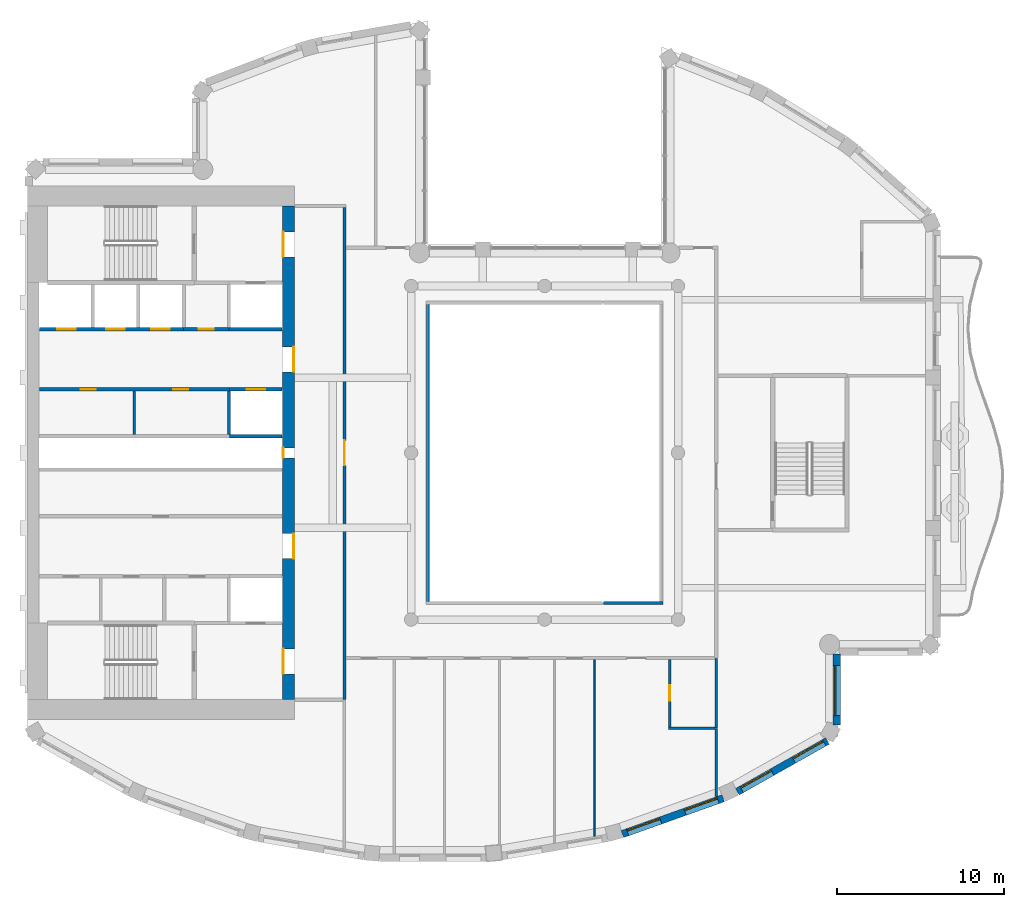
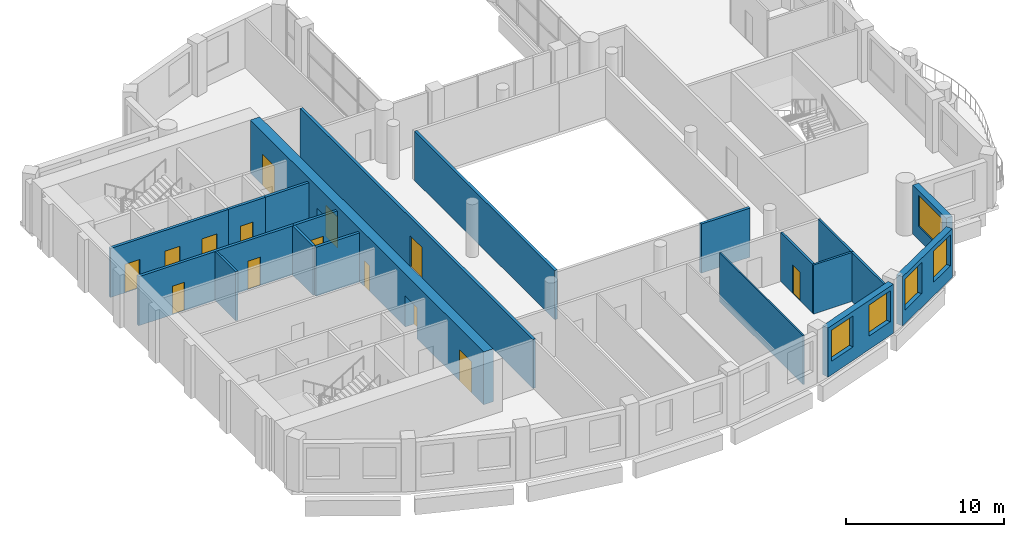
# One storey, part 6 of 15: 20 walls, 14 doors, 5 windows, 19 openings.
"""IFC4 building model written with IfcOpenShell, lengths in metres."""

from ifc_helpers import new_model, si_unit, direction, frame, frame_2d, origin, place, context, subcontext, project, spatial, rectangle, extrude, material, layer, layer_set, type_object, element, fill, save


model = new_model("IFC4")

# Units and contexts
model_context = context("Model", 3, precision=1e-05, world=origin(), true_north=direction((0.0, 1.0)))
body_context = subcontext(model_context, "Body", "Model", "MODEL_VIEW")
ifc_project = project(units=[si_unit("LENGTHUNIT", "METRE"), si_unit("AREAUNIT", "SQUARE_METRE"), si_unit("VOLUMEUNIT", "CUBIC_METRE"), si_unit("PLANEANGLEUNIT", "RADIAN"), si_unit("MASSUNIT", "GRAM", prefix="KILO")], contexts=[model_context])

# Site, building, storey
site_placement = place(None, origin())
site = spatial("IfcSite", under=ifc_project, at=site_placement, CompositionType="ELEMENT")
building_placement = place(site_placement, origin())
building = spatial("IfcBuilding", under=site, at=building_placement, Name="Cypress Arch Tower", CompositionType="ELEMENT")
storey_placement = place(building_placement, frame((0.0, 0.0, 309.0)))
storey = spatial("IfcBuildingStorey", under=building, at=storey_placement, Name="L70", CompositionType="ELEMENT", Elevation=309.0)

# Wall, openings, windows
ifc_material_1 = material(Name="Brick (red buff blend)", Category="masonry")
ifc_layer_1 = layer(ifc_material_1, 0.449951171875)
ifc_layer_set_1 = layer_set([ifc_layer_1], Name="Brick pier and spandrel wall BW450")
wall_type_1 = type_object("IfcWallType", Name="Brick pier and spandrel wall BW450", PredefinedType="SOLIDWALL", material=ifc_layer_set_1)
wall_1_placement = place(storey_placement, frame((5.66455078125, -22.859375, 0.0), z_axis=(0.0, 0.0, 1.0), x_axis=(0.942108340262, 0.335308626803, 0.0)))
wall_1 = element("IfcWall", 1, at=wall_1_placement, inside=storey, type_object=wall_type_1, Name="Brick wall L70 C13.0", PredefinedType="SOLIDWALL", context=body_context, shape_type="SweptSolid", body=[
    extrude(rectangle(XDim=6.41162109375, YDim=0.449951171875, at=frame_2d((3.205810546875, 0.0))), origin(), (0.0, 0.0, 1.0), 3.800048828125),
])
opening_1_placement = place(wall_1_placement, frame((0.3271484375, 0.0, 1.050048828125)))
opening_1 = element("IfcOpeningElement", 2, at=opening_1_placement, cuts=wall_1, Name="Opening W210O", PredefinedType="OPENING", context=body_context, shape_type="SweptSolid", body=[
    extrude(rectangle(XDim=2.10009765625, YDim=2.39990234375, at=frame_2d((1.050048828125, 1.199951171875))), frame((0.0, 0.23486328125, 0.0), z_axis=(0.0, -1.0, 0.0), x_axis=(1.0, 0.0, 0.0)), (0.0, 0.0, 1.0), 0.469970703125),
])
opening_2_placement = place(wall_1_placement, frame((3.984619140625, 0.0, 1.050048828125)))
opening_2 = element("IfcOpeningElement", 3, at=opening_2_placement, cuts=wall_1, Name="Opening W210O", PredefinedType="OPENING", context=body_context, shape_type="SweptSolid", body=[
    extrude(rectangle(XDim=2.10009765625, YDim=2.39990234375, at=frame_2d((1.050048828125, 1.199951171875))), frame((0.0, 0.23486328125, 0.0), z_axis=(0.0, -1.0, 0.0), x_axis=(1.0, 0.0, 0.0)), (0.0, 0.0, 1.0), 0.469970703125),
])
ifc_material_2 = material(Name="Anodised aluminium, bronze finish, clear low-emissivity double glazing", Category="aluminium")
window_type_1 = type_object("IfcWindowType", Name="Window Office 2100x2400", PartitioningType="SINGLE_PANEL", PredefinedType="WINDOW", material=ifc_material_2)
window_1_placement = place(opening_1_placement, origin())
window_1 = element("IfcWindow", 4, at=window_1_placement, inside=storey, type_object=window_type_1, Name="Window L70 C13.0.1", OverallHeight=2.39990234375, OverallWidth=2.10009765625, PartitioningType="SINGLE_PANEL", PredefinedType="WINDOW", context=body_context, shape_type="SweptSolid", body=[
    extrude(rectangle(XDim=2.10009765625, YDim=2.39990234375, at=frame_2d((1.050048828125, 1.199951171875))), frame((0.0, 0.135009765625, 0.0), z_axis=(0.0, -1.0, 0.0), x_axis=(1.0, 0.0, 0.0)), (0.0, 0.0, 1.0), 0.06005859375),
])
fill(opening_1, window_1)
window_2_placement = place(opening_2_placement, origin())
window_2 = element("IfcWindow", 5, at=window_2_placement, inside=storey, type_object=window_type_1, Name="Window L70 C13.0.2", OverallHeight=2.39990234375, OverallWidth=2.10009765625, PartitioningType="SINGLE_PANEL", PredefinedType="WINDOW", context=body_context, shape_type="SweptSolid", body=[
    extrude(rectangle(XDim=2.10009765625, YDim=2.39990234375, at=frame_2d((1.050048828125, 1.199951171875))), frame((0.0, 0.135009765625, 0.0), z_axis=(0.0, -1.0, 0.0), x_axis=(1.0, 0.0, 0.0)), (0.0, 0.0, 1.0), 0.06005859375),
])
fill(opening_2, window_2)

wall_2_placement = place(storey_placement, frame((12.55908203125, -20.320068359375, 0.0), z_axis=(0.0, 0.0, 1.0), x_axis=(0.871065783524, 0.491166367714, 0.0)))
wall_2 = element("IfcWall", 6, at=wall_2_placement, inside=storey, type_object=wall_type_1, Name="Brick wall L70 C14.0", PredefinedType="SOLIDWALL", context=body_context, shape_type="SweptSolid", body=[
    extrude(rectangle(XDim=6.1962890625, YDim=0.449951171875, at=frame_2d((3.09814453125, 0.0))), origin(), (0.0, 0.0, 1.0), 3.800048828125),
])
opening_3_placement = place(wall_2_placement, frame((0.29052734375, 0.0, 1.050048828125)))
opening_3 = element("IfcOpeningElement", 7, at=opening_3_placement, cuts=wall_2, Name="Opening W210O", PredefinedType="OPENING", context=body_context, shape_type="SweptSolid", body=[
    extrude(rectangle(XDim=2.10009765625, YDim=2.39990234375, at=frame_2d((1.050048828125, 1.199951171875))), frame((0.0, 0.23486328125, 0.0), z_axis=(0.0, -1.0, 0.0), x_axis=(1.0, 0.0, 0.0)), (0.0, 0.0, 1.0), 0.469970703125),
])
opening_4_placement = place(wall_2_placement, frame((3.875244140625, 0.0, 1.050048828125)))
opening_4 = element("IfcOpeningElement", 8, at=opening_4_placement, cuts=wall_2, Name="Opening W210O", PredefinedType="OPENING", context=body_context, shape_type="SweptSolid", body=[
    extrude(rectangle(XDim=2.10009765625, YDim=2.39990234375, at=frame_2d((1.050048828125, 1.199951171875))), frame((0.0, 0.23486328125, 0.0), z_axis=(0.0, -1.0, 0.0), x_axis=(1.0, 0.0, 0.0)), (0.0, 0.0, 1.0), 0.469970703125),
])
window_3_placement = place(opening_3_placement, origin())
window_3 = element("IfcWindow", 9, at=window_3_placement, inside=storey, type_object=window_type_1, Name="Window L70 C14.0.1", OverallHeight=2.39990234375, OverallWidth=2.10009765625, PartitioningType="SINGLE_PANEL", PredefinedType="WINDOW", context=body_context, shape_type="SweptSolid", body=[
    extrude(rectangle(XDim=2.10009765625, YDim=2.39990234375, at=frame_2d((1.050048828125, 1.199951171875))), frame((0.0, 0.135009765625, 0.0), z_axis=(0.0, -1.0, 0.0), x_axis=(1.0, 0.0, 0.0)), (0.0, 0.0, 1.0), 0.06005859375),
])
fill(opening_3, window_3)
window_4_placement = place(opening_4_placement, origin())
window_4 = element("IfcWindow", 10, at=window_4_placement, inside=storey, type_object=window_type_1, Name="Window L70 C14.0.2", OverallHeight=2.39990234375, OverallWidth=2.10009765625, PartitioningType="SINGLE_PANEL", PredefinedType="WINDOW", context=body_context, shape_type="SweptSolid", body=[
    extrude(rectangle(XDim=2.10009765625, YDim=2.39990234375, at=frame_2d((1.050048828125, 1.199951171875))), frame((0.0, 0.135009765625, 0.0), z_axis=(0.0, -1.0, 0.0), x_axis=(1.0, 0.0, 0.0)), (0.0, 0.0, 1.0), 0.06005859375),
])
fill(opening_4, window_4)

# Wall, opening, window
wall_3_placement = place(storey_placement, frame((18.52490234375, -16.3037109375, 0.0), z_axis=(0.0, 0.0, 1.0), x_axis=(0.0, 1.0, 0.0)))
wall_3 = element("IfcWall", 11, at=wall_3_placement, inside=storey, type_object=wall_type_1, Name="Brick wall L70 C15.0", PredefinedType="SOLIDWALL", context=body_context, shape_type="SweptSolid", body=[
    extrude(rectangle(XDim=4.25537109375, YDim=0.449951171875, at=frame_2d((2.127685546875, 0.0))), origin(), (0.0, 0.0, 1.0), 3.800048828125),
])
opening_5_placement = place(wall_3_placement, frame((0.541259765625, 0.0, 1.050048828125)))
opening_5 = element("IfcOpeningElement", 12, at=opening_5_placement, cuts=wall_3, Name="Opening W300O", PredefinedType="OPENING", context=body_context, shape_type="SweptSolid", body=[
    extrude(rectangle(XDim=3.0, YDim=2.39990234375, at=frame_2d((1.5, 1.199951171875))), frame((0.0, 0.23486328125, 0.0), z_axis=(0.0, -1.0, 0.0), x_axis=(1.0, 0.0, 0.0)), (0.0, 0.0, 1.0), 0.469970703125),
])
ifc_material_3 = material(Name="Anodised aluminium, bronze finish, clear low-emissivity double glazing", Category="aluminium")
window_type_2 = type_object("IfcWindowType", Name="Window Office 3000x2400", PartitioningType="SINGLE_PANEL", PredefinedType="WINDOW", material=ifc_material_3)
window_5_placement = place(opening_5_placement, origin())
window_5 = element("IfcWindow", 13, at=window_5_placement, inside=storey, type_object=window_type_2, Name="Window L70 C15.0.1", OverallHeight=2.39990234375, OverallWidth=3.0, PartitioningType="SINGLE_PANEL", PredefinedType="WINDOW", context=body_context, shape_type="SweptSolid", body=[
    extrude(rectangle(XDim=3.0, YDim=2.39990234375, at=frame_2d((1.5, 1.199951171875))), frame((0.0, 0.135009765625, 0.0), z_axis=(0.0, -1.0, 0.0), x_axis=(1.0, 0.0, 0.0)), (0.0, 0.0, 1.0), 0.06005859375),
])
fill(opening_5, window_5)

# Wall, openings, doors
ifc_material_4 = material(Name="Concrete C60/75", Category="concrete")
ifc_layer_2 = layer(ifc_material_4, 0.699951171875)
ifc_layer_set_2 = layer_set([ifc_layer_2], Name="Core wall CW700 C60/75")
wall_type_2 = type_object("IfcWallType", Name="Core wall CW700 C60/75", PredefinedType="SHEAR", material=ifc_layer_set_2)
wall_4_placement = place(storey_placement, frame((-14.35009765625, -14.800048828125, 0.0), z_axis=(0.0, 0.0, 1.0), x_axis=(0.0, 1.0, 0.0)))
wall_4 = element("IfcWall", 14, at=wall_4_placement, inside=storey, type_object=wall_type_2, Name="Core wall", PredefinedType="SHEAR", context=body_context, shape_type="SweptSolid", body=[
    extrude(rectangle(XDim=29.60009765625, YDim=0.699951171875, at=frame_2d((14.800048828125, 0.0))), origin(), (0.0, 0.0, 1.0), 4.10009765625),
])
opening_6_placement = place(wall_4_placement, frame((1.550048828125, 0.0, 0.0)))
opening_6 = element("IfcOpeningElement", 15, at=opening_6_placement, cuts=wall_4, Name="Opening D07", PredefinedType="OPENING", context=body_context, shape_type="SweptSolid", body=[
    extrude(rectangle(XDim=1.5, YDim=2.39990234375, at=frame_2d((0.75, 1.199951171875))), frame((0.0, 0.35986328125, 0.0), z_axis=(0.0, -1.0, 0.0), x_axis=(1.0, 0.0, 0.0)), (0.0, 0.0, 1.0), 0.719970703125),
])
opening_7_placement = place(wall_4_placement, frame((26.550048828125, 0.0, 0.0)))
opening_7 = element("IfcOpeningElement", 16, at=opening_7_placement, cuts=wall_4, Name="Opening D07", PredefinedType="OPENING", context=body_context, shape_type="SweptSolid", body=[
    extrude(rectangle(XDim=1.5, YDim=2.39990234375, at=frame_2d((0.75, 1.199951171875))), frame((0.0, 0.35986328125, 0.0), z_axis=(0.0, -1.0, 0.0), x_axis=(1.0, 0.0, 0.0)), (0.0, 0.0, 1.0), 0.719970703125),
])
opening_8_placement = place(wall_4_placement, frame((8.449951171875, 0.0, 0.0)))
opening_8 = element("IfcOpeningElement", 17, at=opening_8_placement, cuts=wall_4, Name="Opening D07", PredefinedType="OPENING", context=body_context, shape_type="SweptSolid", body=[
    extrude(rectangle(XDim=1.5, YDim=2.39990234375, at=frame_2d((0.75, 1.199951171875))), frame((0.0, 0.35986328125, 0.0), z_axis=(0.0, -1.0, 0.0), x_axis=(1.0, 0.0, 0.0)), (0.0, 0.0, 1.0), 0.719970703125),
])
opening_9_placement = place(wall_4_placement, frame((19.64990234375, 0.0, 0.0)))
opening_9 = element("IfcOpeningElement", 18, at=opening_9_placement, cuts=wall_4, Name="Opening D07", PredefinedType="OPENING", context=body_context, shape_type="SweptSolid", body=[
    extrude(rectangle(XDim=1.5, YDim=2.39990234375, at=frame_2d((0.75, 1.199951171875))), frame((0.0, 0.35986328125, 0.0), z_axis=(0.0, -1.0, 0.0), x_axis=(1.0, 0.0, 0.0)), (0.0, 0.0, 1.0), 0.719970703125),
])
opening_10_placement = place(wall_4_placement, frame((14.5, 0.0, 0.0)))
opening_10 = element("IfcOpeningElement", 19, at=opening_10_placement, cuts=wall_4, Name="Opening D08", PredefinedType="OPENING", context=body_context, shape_type="SweptSolid", body=[
    extrude(rectangle(XDim=0.60009765625, YDim=2.0, at=frame_2d((0.300048828125, 1.0))), frame((0.0, 0.35986328125, 0.0), z_axis=(0.0, -1.0, 0.0), x_axis=(1.0, 0.0, 0.0)), (0.0, 0.0, 1.0), 0.719970703125),
])
ifc_material_5 = material(Name="Steel framed glazed door, fire resisting", Category="steel")
door_type_1 = type_object("IfcDoorType", Name="Lobby door D07 1500x2400", OperationType="DOUBLE_DOOR_SINGLE_SWING", PredefinedType="DOOR", material=ifc_material_5)
door_1_placement = place(opening_6_placement, origin())
door_1 = element("IfcDoor", 20, at=door_1_placement, inside=storey, type_object=door_type_1, Name="Lobby door", OperationType="DOUBLE_DOOR_SINGLE_SWING", OverallHeight=2.39990234375, OverallWidth=1.5, PredefinedType="DOOR", context=body_context, shape_type="SweptSolid", body=[
    extrude(rectangle(XDim=1.5, YDim=2.39990234375, at=frame_2d((0.75, 1.199951171875))), frame((0.0, 0.34521484375, 0.0), z_axis=(0.0, -1.0, 0.0), x_axis=(1.0, 0.0, 0.0)), (0.0, 0.0, 1.0), 0.050048828125),
])
fill(opening_6, door_1)
door_2_placement = place(opening_7_placement, origin())
door_2 = element("IfcDoor", 21, at=door_2_placement, inside=storey, type_object=door_type_1, Name="Lobby door", OperationType="DOUBLE_DOOR_SINGLE_SWING", OverallHeight=2.39990234375, OverallWidth=1.5, PredefinedType="DOOR", context=body_context, shape_type="SweptSolid", body=[
    extrude(rectangle(XDim=1.5, YDim=2.39990234375, at=frame_2d((0.75, 1.199951171875))), frame((0.0, 0.34521484375, 0.0), z_axis=(0.0, -1.0, 0.0), x_axis=(1.0, 0.0, 0.0)), (0.0, 0.0, 1.0), 0.050048828125),
])
fill(opening_7, door_2)
door_3_placement = place(opening_8_placement, origin())
door_3 = element("IfcDoor", 22, at=door_3_placement, inside=storey, type_object=door_type_1, Name="Lobby door", OperationType="DOUBLE_DOOR_SINGLE_SWING", OverallHeight=2.39990234375, OverallWidth=1.5, PredefinedType="DOOR", context=body_context, shape_type="SweptSolid", body=[
    extrude(rectangle(XDim=1.5, YDim=2.39990234375, at=frame_2d((0.75, 1.199951171875))), frame((0.0, -0.294921875, 0.0), z_axis=(0.0, -1.0, 0.0), x_axis=(1.0, 0.0, 0.0)), (0.0, 0.0, 1.0), 0.050048828125),
])
fill(opening_8, door_3)
door_4_placement = place(opening_9_placement, origin())
door_4 = element("IfcDoor", 23, at=door_4_placement, inside=storey, type_object=door_type_1, Name="Lobby door", OperationType="DOUBLE_DOOR_SINGLE_SWING", OverallHeight=2.39990234375, OverallWidth=1.5, PredefinedType="DOOR", context=body_context, shape_type="SweptSolid", body=[
    extrude(rectangle(XDim=1.5, YDim=2.39990234375, at=frame_2d((0.75, 1.199951171875))), frame((0.0, -0.294921875, 0.0), z_axis=(0.0, -1.0, 0.0), x_axis=(1.0, 0.0, 0.0)), (0.0, 0.0, 1.0), 0.050048828125),
])
fill(opening_9, door_4)
ifc_material_6 = material(Name="Steel access door, fire resisting", Category="steel")
door_type_2 = type_object("IfcDoorType", Name="Riser access door D08 600x2000", OperationType="SINGLE_SWING_LEFT", PredefinedType="DOOR", material=ifc_material_6)
door_5_placement = place(opening_10_placement, origin())
door_5 = element("IfcDoor", 24, at=door_5_placement, inside=storey, type_object=door_type_2, Name="Riser access door", OperationType="SINGLE_SWING_RIGHT", OverallHeight=2.0, OverallWidth=0.60009765625, PredefinedType="DOOR", context=body_context, shape_type="SweptSolid", body=[
    extrude(rectangle(XDim=0.60009765625, YDim=2.0, at=frame_2d((0.300048828125, 1.0))), frame((0.0, 0.34521484375, 0.0), z_axis=(0.0, -1.0, 0.0), x_axis=(1.0, 0.0, 0.0)), (0.0, 0.0, 1.0), 0.050048828125),
])
fill(opening_10, door_5)

ifc_material_7 = material(Name="Concrete blockwork, plastered, rated", Category="masonry")
ifc_layer_3 = layer(ifc_material_7, 0.199951171875)
ifc_layer_set_3 = layer_set([ifc_layer_3], Name="Corridor wall FW200")
wall_type_3 = type_object("IfcWallType", Name="Corridor wall FW200", PredefinedType="PARTITIONING", material=ifc_layer_set_3)
wall_5_placement = place(storey_placement, frame((-29.27001953125, 3.800048828125, 0.0), z_axis=(0.0, 0.0, 1.0), x_axis=(1.0, 0.0, 0.0)))
wall_5 = element("IfcWall", 25, at=wall_5_placement, inside=storey, type_object=wall_type_3, Name="Corridor wall", PredefinedType="PARTITIONING", context=body_context, shape_type="SweptSolid", body=[
    extrude(rectangle(XDim=11.3701171875, YDim=0.199951171875, at=frame_2d((5.68505859375, 0.0))), origin(), (0.0, 0.0, 1.0), 3.800048828125),
])
opening_11_placement = place(wall_5_placement, frame((2.449951171875, 0.0, 0.0)))
opening_11 = element("IfcOpeningElement", 26, at=opening_11_placement, cuts=wall_5, Name="Opening D05", PredefinedType="OPENING", context=body_context, shape_type="SweptSolid", body=[
    extrude(rectangle(XDim=0.89990234375, YDim=2.199951171875, at=frame_2d((0.449951171875, 1.10009765625))), frame((0.0, 0.10986328125, 0.0), z_axis=(0.0, -1.0, 0.0), x_axis=(1.0, 0.0, 0.0)), (0.0, 0.0, 1.0), 0.219970703125),
])
opening_12_placement = place(wall_5_placement, frame((8.0, 0.0, 0.0)))
opening_12 = element("IfcOpeningElement", 27, at=opening_12_placement, cuts=wall_5, Name="Opening D05", PredefinedType="OPENING", context=body_context, shape_type="SweptSolid", body=[
    extrude(rectangle(XDim=0.89990234375, YDim=2.199951171875, at=frame_2d((0.449951171875, 1.10009765625))), frame((0.0, 0.10986328125, 0.0), z_axis=(0.0, -1.0, 0.0), x_axis=(1.0, 0.0, 0.0)), (0.0, 0.0, 1.0), 0.219970703125),
])
ifc_material_8 = material(Name="Timber flush door", Category="wood")
door_type_3 = type_object("IfcDoorType", Name="Service door D05 900x2200", OperationType="SINGLE_SWING_LEFT", PredefinedType="DOOR", material=ifc_material_8)
door_6_placement = place(opening_11_placement, origin())
door_6 = element("IfcDoor", 28, at=door_6_placement, inside=storey, type_object=door_type_3, Name="Service door", OperationType="SINGLE_SWING_LEFT", OverallHeight=2.199951171875, OverallWidth=0.89990234375, PredefinedType="DOOR", context=body_context, shape_type="SweptSolid", body=[
    extrude(rectangle(XDim=0.89990234375, YDim=2.199951171875, at=frame_2d((0.449951171875, 1.10009765625))), frame((0.0, 0.02490234375, 0.0), z_axis=(0.0, -1.0, 0.0), x_axis=(1.0, 0.0, 0.0)), (0.0, 0.0, 1.0), 0.050048828125),
])
fill(opening_11, door_6)
door_7_placement = place(opening_12_placement, origin())
door_7 = element("IfcDoor", 29, at=door_7_placement, inside=storey, type_object=door_type_3, Name="Service door", OperationType="SINGLE_SWING_RIGHT", OverallHeight=2.199951171875, OverallWidth=0.89990234375, PredefinedType="DOOR", context=body_context, shape_type="SweptSolid", body=[
    extrude(rectangle(XDim=0.89990234375, YDim=2.199951171875, at=frame_2d((0.449951171875, 1.10009765625))), frame((0.0, 0.02490234375, 0.0), z_axis=(0.0, -1.0, 0.0), x_axis=(1.0, 0.0, 0.0)), (0.0, 0.0, 1.0), 0.050048828125),
])
fill(opening_12, door_7)

# Wall, opening, door
wall_6_placement = place(storey_placement, frame((-20.639892578125, 7.39990234375, 0.0), z_axis=(0.0, 0.0, 1.0), x_axis=(1.0, 0.0, 0.0)))
wall_6 = element("IfcWall", 30, at=wall_6_placement, inside=storey, type_object=wall_type_3, Name="Corridor wall", PredefinedType="PARTITIONING", context=body_context, shape_type="SweptSolid", body=[
    extrude(rectangle(XDim=2.719970703125, YDim=0.199951171875, at=frame_2d((1.35986328125, 0.0))), origin(), (0.0, 0.0, 1.0), 3.800048828125),
])
opening_13_placement = place(wall_6_placement, frame((0.89990234375, 0.0, 0.0)))
opening_13 = element("IfcOpeningElement", 31, at=opening_13_placement, cuts=wall_6, Name="Opening D05", PredefinedType="OPENING", context=body_context, shape_type="SweptSolid", body=[
    extrude(rectangle(XDim=0.89990234375, YDim=2.199951171875, at=frame_2d((0.449951171875, 1.10009765625))), frame((0.0, 0.10986328125, 0.0), z_axis=(0.0, -1.0, 0.0), x_axis=(1.0, 0.0, 0.0)), (0.0, 0.0, 1.0), 0.219970703125),
])
door_8_placement = place(opening_13_placement, origin())
door_8 = element("IfcDoor", 32, at=door_8_placement, inside=storey, type_object=door_type_3, Name="Service door", OperationType="SINGLE_SWING_LEFT", OverallHeight=2.199951171875, OverallWidth=0.89990234375, PredefinedType="DOOR", context=body_context, shape_type="SweptSolid", body=[
    extrude(rectangle(XDim=0.89990234375, YDim=2.199951171875, at=frame_2d((0.449951171875, 1.10009765625))), frame((0.0, 0.02490234375, 0.0), z_axis=(0.0, -1.0, 0.0), x_axis=(1.0, 0.0, 0.0)), (0.0, 0.0, 1.0), 0.050048828125),
])
fill(opening_13, door_8)

wall_7_placement = place(storey_placement, frame((-11.0, -14.800048828125, 0.0), z_axis=(0.0, 0.0, 1.0), x_axis=(0.0, 1.0, 0.0)))
wall_7 = element("IfcWall", 33, at=wall_7_placement, inside=storey, type_object=wall_type_3, Name="Corridor wall", PredefinedType="PARTITIONING", context=body_context, shape_type="SweptSolid", body=[
    extrude(rectangle(XDim=29.5, YDim=0.199951171875, at=frame_2d((14.75, 0.0))), origin(), (0.0, 0.0, 1.0), 3.800048828125),
])
opening_14_placement = place(wall_7_placement, frame((14.050048828125, 0.0, 0.0)))
opening_14 = element("IfcOpeningElement", 34, at=opening_14_placement, cuts=wall_7, Name="Opening D07", PredefinedType="OPENING", context=body_context, shape_type="SweptSolid", body=[
    extrude(rectangle(XDim=1.5, YDim=2.39990234375, at=frame_2d((0.75, 1.199951171875))), frame((0.0, 0.10986328125, 0.0), z_axis=(0.0, -1.0, 0.0), x_axis=(1.0, 0.0, 0.0)), (0.0, 0.0, 1.0), 0.219970703125),
])
door_9_placement = place(opening_14_placement, origin())
door_9 = element("IfcDoor", 35, at=door_9_placement, inside=storey, type_object=door_type_1, Name="Lobby door", OperationType="DOUBLE_DOOR_SINGLE_SWING", OverallHeight=2.39990234375, OverallWidth=1.5, PredefinedType="DOOR", context=body_context, shape_type="SweptSolid", body=[
    extrude(rectangle(XDim=1.5, YDim=2.39990234375, at=frame_2d((0.75, 1.199951171875))), frame((0.0, 0.02490234375, 0.0), z_axis=(0.0, -1.0, 0.0), x_axis=(1.0, 0.0, 0.0)), (0.0, 0.0, 1.0), 0.050048828125),
])
fill(opening_14, door_9)

# Walls
wall_8_placement = place(storey_placement, frame((-6.0, -8.89990234375, 0.0), z_axis=(0.0, 0.0, 1.0), x_axis=(0.0, 1.0, 0.0)))
element("IfcWall", 36, at=wall_8_placement, inside=storey, type_object=wall_type_3, Name="Corridor wall", PredefinedType="PARTITIONING", context=body_context, shape_type="SweptSolid", body=[
    extrude(rectangle(XDim=17.7998046875, YDim=0.199951171875, at=frame_2d((8.89990234375, 0.0))), origin(), (0.0, 0.0, 1.0), 3.800048828125),
])
wall_9_placement = place(storey_placement, frame((4.52001953125, -9.0, 0.0), z_axis=(0.0, 0.0, 1.0), x_axis=(1.0, 0.0, 0.0)))
element("IfcWall", 37, at=wall_9_placement, inside=storey, type_object=wall_type_3, Name="Corridor wall", PredefinedType="PARTITIONING", context=body_context, shape_type="SweptSolid", body=[
    extrude(rectangle(XDim=3.580078125, YDim=0.199951171875, at=frame_2d((1.7900390625, 0.0))), origin(), (0.0, 0.0, 1.0), 3.800048828125),
])
ifc_material_9 = material(Name="Blockwork, plastered both sides", Category="masonry")
ifc_layer_4 = layer(ifc_material_9, 0.14990234375)
ifc_layer_set_4 = layer_set([ifc_layer_4], Name="Partition PW150")
wall_type_4 = type_object("IfcWallType", Name="Partition PW150", PredefinedType="PARTITIONING", material=ifc_layer_set_4)
wall_10_placement = place(storey_placement, frame((-23.60009765625, 1.10009765625, 0.0), z_axis=(0.0, 0.0, 1.0), x_axis=(0.0, 1.0, 0.0)))
element("IfcWall", 38, at=wall_10_placement, inside=storey, type_object=wall_type_4, Name="Partition", PredefinedType="PARTITIONING", context=body_context, shape_type="SweptSolid", body=[
    extrude(rectangle(XDim=2.599853515625, YDim=0.14990234375, at=frame_2d((1.2998046875, 0.0))), origin(), (0.0, 0.0, 1.0), 3.800048828125),
])

# Wall, opening, door
wall_11_placement = place(storey_placement, frame((8.501953125, -16.425048828125, 0.0), z_axis=(0.0, 0.0, 1.0), x_axis=(0.0, 1.0, 0.0)))
wall_11 = element("IfcWall", 39, at=wall_11_placement, inside=storey, type_object=wall_type_4, Name="Partition", PredefinedType="PARTITIONING", context=body_context, shape_type="SweptSolid", body=[
    extrude(rectangle(XDim=4.025146484375, YDim=0.14990234375, at=frame_2d((2.0126953125, 0.0))), origin(), (0.0, 0.0, 1.0), 3.800048828125),
])
opening_15_placement = place(wall_11_placement, frame((1.550048828125, 0.0, 0.0)))
opening_15 = element("IfcOpeningElement", 40, at=opening_15_placement, cuts=wall_11, Name="Opening D12", PredefinedType="OPENING", context=body_context, shape_type="SweptSolid", body=[
    extrude(rectangle(XDim=0.949951171875, YDim=2.199951171875, at=frame_2d((0.47509765625, 1.10009765625))), frame((0.0, 0.0849609375, 0.0), z_axis=(0.0, -1.0, 0.0), x_axis=(1.0, 0.0, 0.0)), (0.0, 0.0, 1.0), 0.169921875),
])
ifc_material_10 = material(Name="Timber flush door", Category="wood")
door_type_4 = type_object("IfcDoorType", Name="Room door D12 950x2200", OperationType="SINGLE_SWING_LEFT", PredefinedType="DOOR", material=ifc_material_10)
door_10_placement = place(opening_15_placement, origin())
door_10 = element("IfcDoor", 41, at=door_10_placement, inside=storey, type_object=door_type_4, Name="Room door", OperationType="SINGLE_SWING_RIGHT", OverallHeight=2.199951171875, OverallWidth=0.949951171875, PredefinedType="DOOR", context=body_context, shape_type="SweptSolid", body=[
    extrude(rectangle(XDim=0.949951171875, YDim=2.199951171875, at=frame_2d((0.47509765625, 1.10009765625))), frame((0.0, 0.02490234375, 0.0), z_axis=(0.0, -1.0, 0.0), x_axis=(1.0, 0.0, 0.0)), (0.0, 0.0, 1.0), 0.050048828125),
])
fill(opening_15, door_10)

# Walls
wall_12_placement = place(storey_placement, frame((8.427001953125, -16.5, 0.0), z_axis=(0.0, 0.0, 1.0), x_axis=(1.0, 0.0, 0.0)))
element("IfcWall", 42, at=wall_12_placement, inside=storey, type_object=wall_type_4, Name="Partition", PredefinedType="PARTITIONING", context=body_context, shape_type="SweptSolid", body=[
    extrude(rectangle(XDim=2.798095703125, YDim=0.14990234375, at=frame_2d((1.39892578125, 0.0))), origin(), (0.0, 0.0, 1.0), 3.800048828125),
])
wall_13_placement = place(storey_placement, frame((11.300048828125, -20.61474609375, 0.0), z_axis=(0.0, 0.0, 1.0), x_axis=(0.0, 1.0, 0.0)))
element("IfcWall", 43, at=wall_13_placement, inside=storey, type_object=wall_type_4, Name="Partition", PredefinedType="PARTITIONING", context=body_context, shape_type="SweptSolid", body=[
    extrude(rectangle(XDim=4.0947265625, YDim=0.14990234375, at=frame_2d((2.04736328125, 0.0))), origin(), (0.0, 0.0, 1.0), 3.800048828125),
])
wall_14_placement = place(storey_placement, frame((11.300048828125, -16.5, 0.0), z_axis=(0.0, 0.0, 1.0), x_axis=(0.0, 1.0, 0.0)))
element("IfcWall", 44, at=wall_14_placement, inside=storey, type_object=wall_type_4, Name="Partition", PredefinedType="PARTITIONING", context=body_context, shape_type="SweptSolid", body=[
    extrude(rectangle(XDim=4.179931640625, YDim=0.14990234375, at=frame_2d((2.08984375, 0.0))), origin(), (0.0, 0.0, 1.0), 3.800048828125),
])

# Wall, openings, doors
ifc_material_11 = material(Name="Concrete C50/60", Category="concrete")
ifc_layer_5 = layer(ifc_material_11, 0.199951171875)
ifc_layer_set_5 = layer_set([ifc_layer_5], Name="Shaft wall SH200")
wall_type_5 = type_object("IfcWallType", Name="Shaft wall SH200", PredefinedType="SHEAR", material=ifc_layer_set_5)
wall_15_placement = place(storey_placement, frame((-29.27001953125, 7.39990234375, 0.0), z_axis=(0.0, 0.0, 1.0), x_axis=(1.0, 0.0, 0.0)))
wall_15 = element("IfcWall", 45, at=wall_15_placement, inside=storey, type_object=wall_type_5, Name="Shaft wall", PredefinedType="SHEAR", context=body_context, shape_type="SweptSolid", body=[
    extrude(rectangle(XDim=8.630126953125, YDim=0.199951171875, at=frame_2d((4.31494140625, 0.0))), origin(), (0.0, 0.0, 1.0), 3.800048828125),
])
opening_16_placement = place(wall_15_placement, frame((1.050048828125, 0.0, 0.0)))
opening_16 = element("IfcOpeningElement", 46, at=opening_16_placement, cuts=wall_15, Name="Opening LD-HR5", PredefinedType="OPENING", context=body_context, shape_type="SweptSolid", body=[
    extrude(rectangle(XDim=1.10009765625, YDim=2.199951171875, at=frame_2d((0.550048828125, 1.10009765625))), frame((0.0, 0.10986328125, 0.0), z_axis=(0.0, -1.0, 0.0), x_axis=(1.0, 0.0, 0.0)), (0.0, 0.0, 1.0), 0.219970703125),
])
opening_17_placement = place(wall_15_placement, frame((4.0, 0.0, 0.0)))
opening_17 = element("IfcOpeningElement", 47, at=opening_17_placement, cuts=wall_15, Name="Opening LD-HR6", PredefinedType="OPENING", context=body_context, shape_type="SweptSolid", body=[
    extrude(rectangle(XDim=1.10009765625, YDim=2.199951171875, at=frame_2d((0.550048828125, 1.10009765625))), frame((0.0, 0.10986328125, 0.0), z_axis=(0.0, -1.0, 0.0), x_axis=(1.0, 0.0, 0.0)), (0.0, 0.0, 1.0), 0.219970703125),
])
opening_18_placement = place(wall_15_placement, frame((6.699951171875, 0.0, 0.0)))
opening_18 = element("IfcOpeningElement", 48, at=opening_18_placement, cuts=wall_15, Name="Opening LD-HR7", PredefinedType="OPENING", context=body_context, shape_type="SweptSolid", body=[
    extrude(rectangle(XDim=1.10009765625, YDim=2.199951171875, at=frame_2d((0.550048828125, 1.10009765625))), frame((0.0, 0.10986328125, 0.0), z_axis=(0.0, -1.0, 0.0), x_axis=(1.0, 0.0, 0.0)), (0.0, 0.0, 1.0), 0.219970703125),
])
ifc_material_12 = material(Name="Stainless steel centre-opening landing door, rated", Category="steel")
door_type_5 = type_object("IfcDoorType", Name="Lift landing door LD 1100x2200", OperationType="DOUBLE_DOOR_SLIDING", PredefinedType="DOOR", material=ifc_material_12)
door_11_placement = place(opening_16_placement, origin())
door_11 = element("IfcDoor", 49, at=door_11_placement, inside=storey, type_object=door_type_5, Name="Lift landing doors HR5", OperationType="DOUBLE_DOOR_SLIDING", OverallHeight=2.199951171875, OverallWidth=1.10009765625, PredefinedType="DOOR", context=body_context, shape_type="SweptSolid", body=[
    extrude(rectangle(XDim=1.10009765625, YDim=2.199951171875, at=frame_2d((0.550048828125, 1.10009765625))), frame((0.0, 0.02490234375, 0.0), z_axis=(0.0, -1.0, 0.0), x_axis=(1.0, 0.0, 0.0)), (0.0, 0.0, 1.0), 0.050048828125),
])
fill(opening_16, door_11)
door_12_placement = place(opening_17_placement, origin())
door_12 = element("IfcDoor", 50, at=door_12_placement, inside=storey, type_object=door_type_5, Name="Lift landing doors HR6", OperationType="DOUBLE_DOOR_SLIDING", OverallHeight=2.199951171875, OverallWidth=1.10009765625, PredefinedType="DOOR", context=body_context, shape_type="SweptSolid", body=[
    extrude(rectangle(XDim=1.10009765625, YDim=2.199951171875, at=frame_2d((0.550048828125, 1.10009765625))), frame((0.0, 0.02490234375, 0.0), z_axis=(0.0, -1.0, 0.0), x_axis=(1.0, 0.0, 0.0)), (0.0, 0.0, 1.0), 0.050048828125),
])
fill(opening_17, door_12)
door_13_placement = place(opening_18_placement, origin())
door_13 = element("IfcDoor", 51, at=door_13_placement, inside=storey, type_object=door_type_5, Name="Lift landing doors HR7", OperationType="DOUBLE_DOOR_SLIDING", OverallHeight=2.199951171875, OverallWidth=1.10009765625, PredefinedType="DOOR", context=body_context, shape_type="SweptSolid", body=[
    extrude(rectangle(XDim=1.10009765625, YDim=2.199951171875, at=frame_2d((0.550048828125, 1.10009765625))), frame((0.0, 0.02490234375, 0.0), z_axis=(0.0, -1.0, 0.0), x_axis=(1.0, 0.0, 0.0)), (0.0, 0.0, 1.0), 0.050048828125),
])
fill(opening_18, door_13)

# Walls
wall_16_placement = place(storey_placement, frame((-17.919921875, 1.10009765625, 0.0), z_axis=(0.0, 0.0, 1.0), x_axis=(0.0, 1.0, 0.0)))
element("IfcWall", 52, at=wall_16_placement, inside=storey, type_object=wall_type_5, Name="Shaft wall", PredefinedType="SHEAR", context=body_context, shape_type="SweptSolid", body=[
    extrude(rectangle(XDim=2.599853515625, YDim=0.199951171875, at=frame_2d((1.2998046875, 0.0))), origin(), (0.0, 0.0, 1.0), 3.800048828125),
])
wall_17_placement = place(storey_placement, frame((-17.89990234375, 1.0, 0.0), z_axis=(0.0, 0.0, 1.0), x_axis=(1.0, 0.0, 0.0)))
element("IfcWall", 53, at=wall_17_placement, inside=storey, type_object=wall_type_5, Name="Shaft wall", PredefinedType="SHEAR", context=body_context, shape_type="SweptSolid", body=[
    extrude(rectangle(XDim=3.169921875, YDim=0.199951171875, at=frame_2d((1.5849609375, 0.0))), origin(), (0.0, 0.0, 1.0), 3.800048828125),
])

# Wall, opening, door
wall_18_placement = place(storey_placement, frame((-17.89990234375, 3.800048828125, 0.0), z_axis=(0.0, 0.0, 1.0), x_axis=(1.0, 0.0, 0.0)))
wall_18 = element("IfcWall", 54, at=wall_18_placement, inside=storey, type_object=wall_type_5, Name="Shaft wall", PredefinedType="SHEAR", context=body_context, shape_type="SweptSolid", body=[
    extrude(rectangle(XDim=3.169921875, YDim=0.199951171875, at=frame_2d((1.5849609375, 0.0))), origin(), (0.0, 0.0, 1.0), 3.800048828125),
])
opening_19_placement = place(wall_18_placement, frame((1.050048828125, 0.0, 0.0)))
opening_19 = element("IfcOpeningElement", 55, at=opening_19_placement, cuts=wall_18, Name="Opening LD-HR4", PredefinedType="OPENING", context=body_context, shape_type="SweptSolid", body=[
    extrude(rectangle(XDim=1.10009765625, YDim=2.199951171875, at=frame_2d((0.550048828125, 1.10009765625))), frame((0.0, 0.10986328125, 0.0), z_axis=(0.0, -1.0, 0.0), x_axis=(1.0, 0.0, 0.0)), (0.0, 0.0, 1.0), 0.219970703125),
])
door_14_placement = place(opening_19_placement, origin())
door_14 = element("IfcDoor", 56, at=door_14_placement, inside=storey, type_object=door_type_5, Name="Lift landing doors HR4", OperationType="DOUBLE_DOOR_SLIDING", OverallHeight=2.199951171875, OverallWidth=1.10009765625, PredefinedType="DOOR", context=body_context, shape_type="SweptSolid", body=[
    extrude(rectangle(XDim=1.10009765625, YDim=2.199951171875, at=frame_2d((0.550048828125, 1.10009765625))), frame((0.0, 0.02490234375, 0.0), z_axis=(0.0, -1.0, 0.0), x_axis=(1.0, 0.0, 0.0)), (0.0, 0.0, 1.0), 0.050048828125),
])
fill(opening_19, door_14)

# Walls
wall_19_placement = place(storey_placement, frame((-17.919921875, 7.39990234375, 0.0), z_axis=(0.0, 0.0, 1.0), x_axis=(1.0, 0.0, 0.0)))
element("IfcWall", 57, at=wall_19_placement, inside=storey, type_object=wall_type_5, Name="Shaft wall", PredefinedType="SHEAR", context=body_context, shape_type="SweptSolid", body=[
    extrude(rectangle(XDim=3.18994140625, YDim=0.199951171875, at=frame_2d((1.594970703125, 0.0))), origin(), (0.0, 0.0, 1.0), 3.800048828125),
])
ifc_material_13 = material(Name="Moisture resistant board on steel studs, tiled", Category="steel")
ifc_layer_6 = layer(ifc_material_13, 0.10009765625)
ifc_layer_set_6 = layer_set([ifc_layer_6], Name="Wet wall PW100")
wall_type_6 = type_object("IfcWallType", Name="Wet wall PW100", PredefinedType="PARTITIONING", material=ifc_layer_set_6)
wall_20_placement = place(storey_placement, frame((4.0009765625, -22.9990234375, 0.0), z_axis=(0.0, 0.0, 1.0), x_axis=(0.0, 1.0, 0.0)))
element("IfcWall", 58, at=wall_20_placement, inside=storey, type_object=wall_type_6, Name="Wet wall", PredefinedType="PARTITIONING", context=body_context, shape_type="SweptSolid", body=[
    extrude(rectangle(XDim=10.59912109375, YDim=0.10009765625, at=frame_2d((5.299560546875, 0.0))), origin(), (0.0, 0.0, 1.0), 3.800048828125),
])

save(model, "model.ifc")
